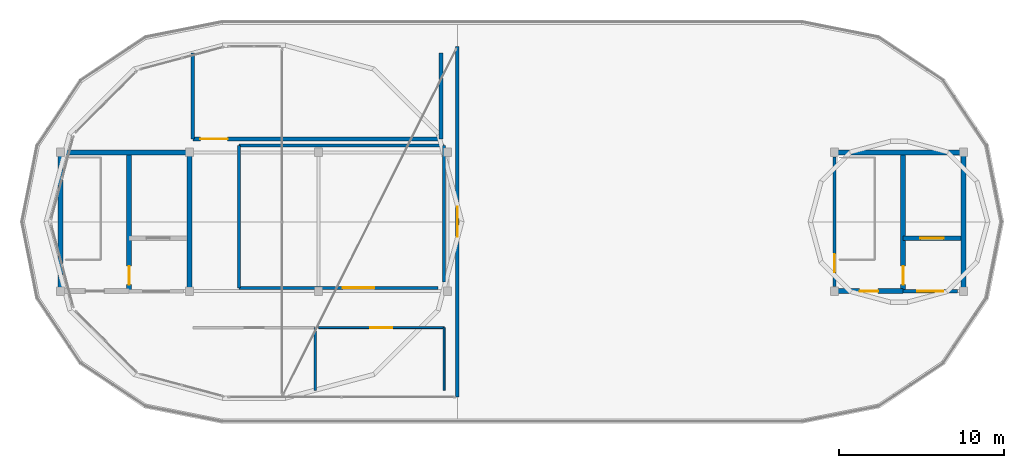
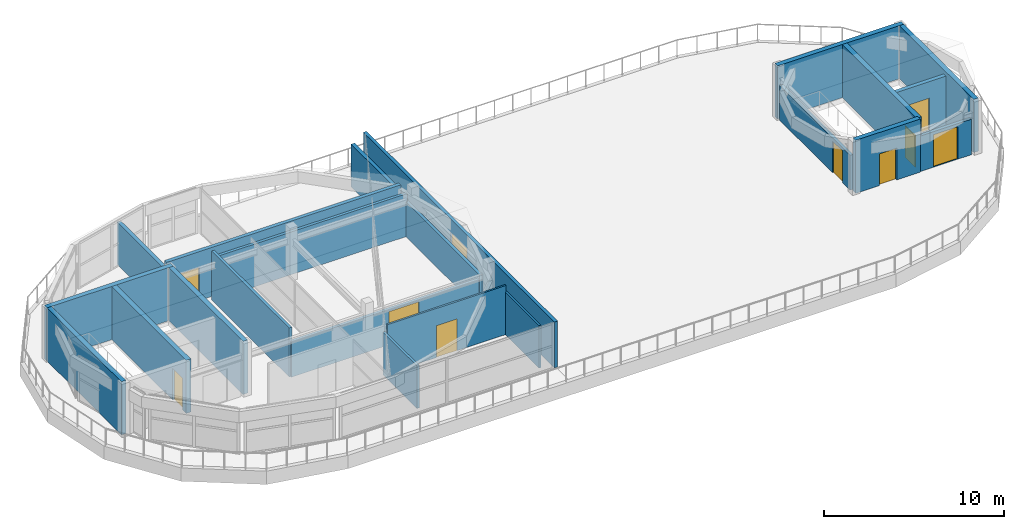
# One storey, part 14 of 15: 22 walls, 10 doors, 10 openings.
"""IFC4 building model written with IfcOpenShell, lengths in metres."""

from ifc_helpers import new_model, si_unit, direction, frame, frame_2d, origin, place, context, subcontext, project, spatial, rectangle, extrude, material, layer, layer_set, type_object, element, fill, save


model = new_model("IFC4")

# Units and contexts
model_context = context("Model", 3, precision=1e-05, world=origin(), true_north=direction((0.0, 1.0)))
body_context = subcontext(model_context, "Body", "Model", "MODEL_VIEW")
ifc_project = project(units=[si_unit("LENGTHUNIT", "METRE"), si_unit("AREAUNIT", "SQUARE_METRE"), si_unit("VOLUMEUNIT", "CUBIC_METRE"), si_unit("PLANEANGLEUNIT", "RADIAN"), si_unit("MASSUNIT", "GRAM", prefix="KILO")], contexts=[model_context])

# Site, building, storey
site_placement = place(None, origin())
site = spatial("IfcSite", under=ifc_project, at=site_placement, CompositionType="ELEMENT")
building_placement = place(site_placement, origin())
building = spatial("IfcBuilding", under=site, at=building_placement, Name="Zizhar Promenade General Hospital", CompositionType="ELEMENT")
storey_placement = place(building_placement, frame((0.0, 0.0, 43.199951171875)))
storey = spatial("IfcBuildingStorey", under=building, at=storey_placement, Name="Roof", CompositionType="ELEMENT", Elevation=43.199951171875)

# Wall, opening, door
ifc_material_1 = material(Name="Precast concrete C40/50", Category="concrete")
ifc_layer_1 = layer(ifc_material_1, 0.2099609375)
ifc_layer_set_1 = layer_set([ifc_layer_1], Name="Precast concrete C40/50")
wall_type_1 = type_object("IfcWallType", Name="EW-PENT-210", PredefinedType="STANDARD", material=ifc_layer_set_1)
wall_1_placement = place(storey_placement, frame((70.800048828125, 23.199951171875, 0.0), z_axis=(0.0, 0.0, 1.0), x_axis=(0.0, -1.0, 0.0)))
wall_1 = element("IfcWall", 1, at=wall_1_placement, inside=storey, type_object=wall_type_1, Name="Helipad Trauma Lobby East Wall", PredefinedType="STANDARD", context=body_context, shape_type="SweptSolid", body=[
    extrude(rectangle(XDim=21.199951171875, YDim=0.2099609375, at=frame_2d((10.60009765625, 0.0))), origin(), (0.0, 0.0, 1.0), 3.10009765625),
])
opening_1_placement = place(wall_1_placement, frame((9.699951171875, 0.0, 0.0)))
opening_1 = element("IfcOpeningElement", 2, at=opening_1_placement, cuts=wall_1, Name="Opening ED-07", PredefinedType="OPENING", context=body_context, shape_type="SweptSolid", body=[
    extrude(rectangle(XDim=1.800048828125, YDim=2.199951171875, at=frame_2d((0.89990234375, 1.10009765625))), frame((0.0, 0.114990234375, 0.0), z_axis=(0.0, -1.0, 0.0), x_axis=(1.0, 0.0, 0.0)), (0.0, 0.0, 1.0), 0.22998046875),
])
ifc_material_2 = material(Name="Anodised aluminium 6063-T6 and laminated safety glass", Category="aluminium")
door_type_1 = type_object("IfcDoorType", Name="DR-EXT-HELI-180x220", OperationType="DOUBLE_DOOR_SINGLE_SWING", PredefinedType="DOOR", material=ifc_material_2)
door_1_placement = place(opening_1_placement, origin())
door_1 = element("IfcDoor", 3, at=door_1_placement, inside=storey, type_object=door_type_1, Name="Helipad Trauma Transfer Airlock Door", OperationType="DOUBLE_DOOR_SINGLE_SWING", OverallHeight=2.199951171875, OverallWidth=1.800048828125, PredefinedType="DOOR", context=body_context, shape_type="SweptSolid", body=[
    extrude(rectangle(XDim=1.800048828125, YDim=2.199951171875, at=frame_2d((0.89990234375, 1.10009765625))), frame((0.0, 0.02490234375, 0.0), z_axis=(0.0, -1.0, 0.0), x_axis=(1.0, 0.0, 0.0)), (0.0, 0.0, 1.0), 0.050048828125),
])
fill(opening_1, door_1)

wall_2_placement = place(storey_placement, frame((93.60009765625, 8.68994140625, 0.0), z_axis=(0.0, 0.0, 1.0), x_axis=(0.0, 1.0, 0.0)))
wall_2 = element("IfcWall", 4, at=wall_2_placement, inside=storey, type_object=wall_type_1, Name="East Core C5 Helipad Egress Wall", PredefinedType="STANDARD", context=body_context, shape_type="SweptSolid", body=[
    extrude(rectangle(XDim=7.820068359375, YDim=0.2099609375, at=frame_2d((3.91015625, 0.0))), origin(), (0.0, 0.0, 1.0), 2.35498046875),
])
opening_2_placement = place(wall_2_placement, frame((0.857666015625, 0.0, 0.0)))
opening_2 = element("IfcOpeningElement", 5, at=opening_2_placement, cuts=wall_2, Name="Opening ED-06", PredefinedType="OPENING", context=body_context, shape_type="SweptSolid", body=[
    extrude(rectangle(XDim=1.10009765625, YDim=2.14990234375, at=frame_2d((0.550048828125, 1.074951171875))), frame((0.0, 0.114990234375, 0.0), z_axis=(0.0, -1.0, 0.0), x_axis=(1.0, 0.0, 0.0)), (0.0, 0.0, 1.0), 0.22998046875),
])
ifc_material_3 = material(Name="Anodised aluminium 6063-T6 and laminated safety glass", Category="aluminium")
door_type_2 = type_object("IfcDoorType", Name="DR-EXT-TERR-110x215", OperationType="SINGLE_SWING_LEFT", PredefinedType="DOOR", material=ifc_material_3)
door_2_placement = place(opening_2_placement, origin())
door_2 = element("IfcDoor", 6, at=door_2_placement, inside=storey, type_object=door_type_2, Name="Helipad East Core Secondary Egress Door", OperationType="SINGLE_SWING_LEFT", OverallHeight=2.14990234375, OverallWidth=1.10009765625, PredefinedType="DOOR", context=body_context, shape_type="SweptSolid", body=[
    extrude(rectangle(XDim=1.10009765625, YDim=2.14990234375, at=frame_2d((0.550048828125, 1.074951171875))), frame((0.0, 0.02490234375, 0.0), z_axis=(0.0, -1.0, 0.0), x_axis=(1.0, 0.0, 0.0)), (0.0, 0.0, 1.0), 0.050048828125),
])
fill(opening_2, door_2)

# Wall
ifc_material_4 = material(Name="Clinical consultation partition")
ifc_layer_2 = layer(ifc_material_4, 0.14501953125)
ifc_layer_set_2 = layer_set([ifc_layer_2], Name="Clinical consultation partition")
wall_type_2 = type_object("IfcWallType", Name="IW-CLN-145", PredefinedType="PARTITIONING", material=ifc_layer_set_2)
wall_3_placement = place(storey_placement, frame((62.199951171875, 2.39990234375, 0.0), z_axis=(0.0, 0.0, 1.0), x_axis=(0.0, 1.0, 0.0)))
element("IfcWall", 7, at=wall_3_placement, inside=storey, type_object=wall_type_2, Name="Helipad Aviation Dispatch and Telemetry Clinic E Partition", PredefinedType="PARTITIONING", context=body_context, shape_type="SweptSolid", body=[
    extrude(rectangle(XDim=3.800048828125, YDim=0.14501953125, at=frame_2d((1.89990234375, 0.0))), origin(), (0.0, 0.0, 1.0), 2.89013671875),
])

# Wall, opening, door
ifc_material_5 = material(Name="Acoustic double-stud clinical partition")
ifc_layer_3 = layer(ifc_material_5, 0.179931640625)
ifc_layer_set_3 = layer_set([ifc_layer_3], Name="Acoustic double-stud clinical partition")
wall_type_3 = type_object("IfcWallType", Name="IW-ICU-180", PredefinedType="PARTITIONING", material=ifc_layer_set_3)
wall_4_placement = place(storey_placement, frame((57.60009765625, 8.60009765625, 0.0), z_axis=(0.0, 0.0, 1.0), x_axis=(1.0, 0.0, 0.0)))
wall_4 = element("IfcWall", 8, at=wall_4_placement, inside=storey, type_object=wall_type_3, Name="Emergency Department Helipad Resuscitation Bay S Partition", PredefinedType="PARTITIONING", context=body_context, shape_type="SweptSolid", body=[
    extrude(rectangle(XDim=12.039794921875, YDim=0.179931640625, at=frame_2d((6.02001953125, 0.0))), origin(), (0.0, 0.0, 1.0), 2.405029296875),
])
opening_3_placement = place(wall_4_placement, frame((6.27392578125, 0.0, 0.0)))
opening_3 = element("IfcOpeningElement", 9, at=opening_3_placement, cuts=wall_4, Name="Opening D-12", PredefinedType="OPENING", context=body_context, shape_type="SweptSolid", body=[
    extrude(rectangle(XDim=1.89990234375, YDim=2.25, at=frame_2d((0.949951171875, 1.125))), frame((0.0, 0.10009765625, 0.0), z_axis=(0.0, -1.0, 0.0), x_axis=(1.0, 0.0, 0.0)), (0.0, 0.0, 1.0), 0.199951171875),
])
ifc_material_6 = material(Name="Fire-rated timber trauma pair", Category="wood")
door_type_3 = type_object("IfcDoorType", Name="DR-ED-RESUS-190x225", OperationType="DOUBLE_DOOR_SINGLE_SWING", PredefinedType="DOOR", material=ifc_material_6)
door_3_placement = place(opening_3_placement, origin())
door_3 = element("IfcDoor", 10, at=door_3_placement, inside=storey, type_object=door_type_3, Name="Emergency Department Helipad Resuscitation Bay Door", OperationType="DOUBLE_DOOR_SINGLE_SWING", OverallHeight=2.25, OverallWidth=1.89990234375, PredefinedType="DOOR", context=body_context, shape_type="SweptSolid", body=[
    extrude(rectangle(XDim=1.89990234375, YDim=2.25, at=frame_2d((0.949951171875, 1.125))), frame((0.0, 0.02490234375, 0.0), z_axis=(0.0, -1.0, 0.0), x_axis=(1.0, 0.0, 0.0)), (0.0, 0.0, 1.0), 0.050048828125),
])
fill(opening_3, door_3)

# Walls
wall_5_placement = place(storey_placement, frame((57.60009765625, 17.199951171875, 0.0), z_axis=(0.0, 0.0, 1.0), x_axis=(1.0, 0.0, 0.0)))
element("IfcWall", 11, at=wall_5_placement, inside=storey, type_object=wall_type_3, Name="Emergency Department Helipad Resuscitation Bay N Partition", PredefinedType="PARTITIONING", context=body_context, shape_type="SweptSolid", body=[
    extrude(rectangle(XDim=12.39990234375, YDim=0.179931640625, at=frame_2d((6.199951171875, 0.0))), origin(), (0.0, 0.0, 1.0), 2.89013671875),
])
wall_6_placement = place(storey_placement, frame((57.60009765625, 8.60009765625, 0.0), z_axis=(0.0, 0.0, 1.0), x_axis=(0.0, 1.0, 0.0)))
element("IfcWall", 12, at=wall_6_placement, inside=storey, type_object=wall_type_3, Name="Emergency Department Helipad Resuscitation Bay W Partition", PredefinedType="PARTITIONING", context=body_context, shape_type="SweptSolid", body=[
    extrude(rectangle(XDim=8.599853515625, YDim=0.179931640625, at=frame_2d((4.2998046875, 0.0))), origin(), (0.0, 0.0, 1.0), 3.320068359375),
])
wall_7_placement = place(storey_placement, frame((70.0, 8.9599609375, 0.0), z_axis=(0.0, 0.0, 1.0), x_axis=(0.0, 1.0, 0.0)))
element("IfcWall", 13, at=wall_7_placement, inside=storey, type_object=wall_type_3, Name="Emergency Department Helipad Resuscitation Bay E Partition", PredefinedType="PARTITIONING", context=body_context, shape_type="SweptSolid", body=[
    extrude(rectangle(XDim=8.239990234375, YDim=0.179931640625, at=frame_2d((4.1201171875, 0.0))), origin(), (0.0, 0.0, 1.0), 2.35498046875),
])

# Wall, opening, door
ifc_material_7 = material(Name="Concrete C35/45", Category="concrete")
ifc_layer_4 = layer(ifc_material_7, 0.215087890625)
ifc_layer_set_4 = layer_set([ifc_layer_4], Name="Concrete C35/45")
wall_type_4 = type_object("IfcWallType", Name="IW-LOBBY-215", PredefinedType="STANDARD", material=ifc_layer_set_4)
wall_8_placement = place(storey_placement, frame((97.75, 8.39990234375, 0.0), z_axis=(0.0, 0.0, 1.0), x_axis=(1.0, 0.0, 0.0)))
wall_8 = element("IfcWall", 14, at=wall_8_placement, inside=storey, type_object=wall_type_4, Name="Core C5 Lift Lobby South Fire Wall (Roof)", PredefinedType="STANDARD", context=body_context, shape_type="SweptSolid", body=[
    extrude(rectangle(XDim=3.2900390625, YDim=0.215087890625, at=frame_2d((1.64501953125, 0.0))), origin(), (0.0, 0.0, 1.0), 2.405029296875),
])
opening_4_placement = place(wall_8_placement, frame((0.864990234375, 0.0, 0.0)))
opening_4 = element("IfcOpeningElement", 15, at=opening_4_placement, cuts=wall_8, Name="Opening D-22", PredefinedType="OPENING", context=body_context, shape_type="SweptSolid", body=[
    extrude(rectangle(XDim=1.56005859375, YDim=2.199951171875, at=frame_2d((0.780029296875, 1.10009765625))), frame((0.0, 0.11767578125, 0.0), z_axis=(0.0, -1.0, 0.0), x_axis=(1.0, 0.0, 0.0)), (0.0, 0.0, 1.0), 0.235107421875),
])
ifc_material_8 = material(Name="Steel S355 firefighting lobby pair", Category="steel")
door_type_4 = type_object("IfcDoorType", Name="DR-LOBBY-FF-156x220", OperationType="DOUBLE_DOOR_SINGLE_SWING", PredefinedType="DOOR", material=ifc_material_8)
door_4_placement = place(opening_4_placement, origin())
door_4 = element("IfcDoor", 16, at=door_4_placement, inside=storey, type_object=door_type_4, Name="Core C5 Firefighting Lift Lobby Door (Roof)", OperationType="DOUBLE_DOOR_SINGLE_SWING", OverallHeight=2.199951171875, OverallWidth=1.56005859375, PredefinedType="DOOR", context=body_context, shape_type="SweptSolid", body=[
    extrude(rectangle(XDim=1.56005859375, YDim=2.199951171875, at=frame_2d((0.780029296875, 1.10009765625))), frame((0.0, 0.02490234375, 0.0), z_axis=(0.0, -1.0, 0.0), x_axis=(1.0, 0.0, 0.0)), (0.0, 0.0, 1.0), 0.050048828125),
])
fill(opening_4, door_4)

ifc_material_9 = material(Name="Concrete block masonry C30/37", Category="masonry")
ifc_layer_5 = layer(ifc_material_9, 0.22998046875)
ifc_layer_set_5 = layer_set([ifc_layer_5], Name="Concrete block masonry C30/37")
wall_type_5 = type_object("IfcWallType", Name="IW-PLNT-230", PredefinedType="STANDARD", material=ifc_layer_set_5)
wall_9_placement = place(storey_placement, frame((54.800048828125, 17.60009765625, 0.0), z_axis=(0.0, 0.0, 1.0), x_axis=(1.0, 0.0, 0.0)))
wall_9 = element("IfcWall", 17, at=wall_9_placement, inside=storey, type_object=wall_type_5, Name="Penthouse Helipad Foam and Pressurisation Plant S Partition", PredefinedType="STANDARD", context=body_context, shape_type="SweptSolid", body=[
    extrude(rectangle(XDim=15.0, YDim=0.22998046875, at=frame_2d((7.5, 0.0))), origin(), (0.0, 0.0, 1.0), 3.320068359375),
])
opening_5_placement = place(wall_9_placement, frame((0.449951171875, 0.0, 0.0)))
opening_5 = element("IfcOpeningElement", 18, at=opening_5_placement, cuts=wall_9, Name="Opening D-24", PredefinedType="OPENING", context=body_context, shape_type="SweptSolid", body=[
    extrude(rectangle(XDim=1.64990234375, YDim=2.25, at=frame_2d((0.824951171875, 1.125))), frame((0.0, 0.125, 0.0), z_axis=(0.0, -1.0, 0.0), x_axis=(1.0, 0.0, 0.0)), (0.0, 0.0, 1.0), 0.25),
])
ifc_material_10 = material(Name="Steel S355 acoustic plant pair", Category="steel")
door_type_5 = type_object("IfcDoorType", Name="DR-PLNT-165x225", OperationType="DOUBLE_DOOR_SINGLE_SWING", PredefinedType="DOOR", material=ifc_material_10)
door_5_placement = place(opening_5_placement, origin())
door_5 = element("IfcDoor", 19, at=door_5_placement, inside=storey, type_object=door_type_5, Name="Penthouse Helipad Foam and Pressurisation Plant Door", OperationType="DOUBLE_DOOR_SINGLE_SWING", OverallHeight=2.25, OverallWidth=1.64990234375, PredefinedType="DOOR", context=body_context, shape_type="SweptSolid", body=[
    extrude(rectangle(XDim=1.64990234375, YDim=2.25, at=frame_2d((0.824951171875, 1.125))), frame((0.0, 0.02490234375, 0.0), z_axis=(0.0, -1.0, 0.0), x_axis=(1.0, 0.0, 0.0)), (0.0, 0.0, 1.0), 0.050048828125),
])
fill(opening_5, door_5)

# Walls
for number, where, z_axis, x_axis, name in (
    (20, (54.800048828125, 17.60009765625, 0.0), (0.0, 0.0, 1.0), (0.0, 1.0, 0.0), "Penthouse Helipad Foam and Pressurisation Plant W Partition"),
    (21, (69.800048828125, 17.60009765625, 0.0), (0.0, 0.0, 1.0), (0.0, 1.0, 0.0), "Penthouse Helipad Foam and Pressurisation Plant E Partition"),
):
    element("IfcWall", number, at=place(storey_placement, frame(where, z_axis=z_axis, x_axis=x_axis)), inside=storey, type_object=wall_type_5, Name=name, PredefinedType="STANDARD", context=body_context, shape_type="SweptSolid", body=[
        extrude(rectangle(XDim=5.199951171875, YDim=0.22998046875, at=frame_2d((2.60009765625, 0.0))), origin(), (0.0, 0.0, 1.0), 2.89013671875),
    ])

# Wall, opening, door
ifc_material_11 = material(Name="Concrete C35/45", Category="concrete")
ifc_layer_6 = layer(ifc_material_11, 0.25)
ifc_layer_set_6 = layer_set([ifc_layer_6], Name="Concrete C35/45")
wall_type_6 = type_object("IfcWallType", Name="IW-SHAFT-250", PredefinedType="STANDARD", material=ifc_layer_set_6)
wall_10_placement = place(storey_placement, frame((97.75, 11.60009765625, 0.0), z_axis=(0.0, 0.0, 1.0), x_axis=(1.0, 0.0, 0.0)))
wall_10 = element("IfcWall", 22, at=wall_10_placement, inside=storey, type_object=wall_type_6, Name="Core C5 Lift Shaft Landing Wall (Roof)", PredefinedType="STANDARD", context=body_context, shape_type="SweptSolid", body=[
    extrude(rectangle(XDim=3.5, YDim=0.25, at=frame_2d((1.75, 0.0))), origin(), (0.0, 0.0, 1.0), 3.320068359375),
])
opening_6_placement = place(wall_10_placement, frame((1.050048828125, 0.0, 0.0)))
opening_6 = element("IfcOpeningElement", 23, at=opening_6_placement, cuts=wall_10, Name="Opening LD-14", PredefinedType="OPENING", context=body_context, shape_type="SweptSolid", body=[
    extrude(rectangle(XDim=1.39990234375, YDim=2.199951171875, at=frame_2d((0.699951171875, 1.10009765625))), frame((0.0, 0.135009765625, 0.0), z_axis=(0.0, -1.0, 0.0), x_axis=(1.0, 0.0, 0.0)), (0.0, 0.0, 1.0), 0.27001953125),
])
ifc_material_12 = material(Name="Stainless Steel S355 hospital lift landing door", Category="steel")
door_type_6 = type_object("IfcDoorType", Name="DR-LIFT-LD14", OperationType="SLIDING_TO_LEFT", PredefinedType="DOOR", material=ifc_material_12)
door_6_placement = place(opening_6_placement, origin())
door_6 = element("IfcDoor", 24, at=door_6_placement, inside=storey, type_object=door_type_6, Name="Lift LF-02 Sliding Landing Door (Roof)", OperationType="SLIDING_TO_LEFT", OverallHeight=2.199951171875, OverallWidth=1.39990234375, PredefinedType="DOOR", context=body_context, shape_type="SweptSolid", body=[
    extrude(rectangle(XDim=1.39990234375, YDim=2.199951171875, at=frame_2d((0.699951171875, 1.10009765625))), frame((0.0, 0.02490234375, 0.0), z_axis=(0.0, -1.0, 0.0), x_axis=(1.0, 0.0, 0.0)), (0.0, 0.0, 1.0), 0.050048828125),
])
fill(opening_6, door_6)

ifc_material_13 = material(Name="Clean utility gypsum partition")
ifc_layer_7 = layer(ifc_material_13, 0.114990234375)
ifc_layer_set_7 = layer_set([ifc_layer_7], Name="Clean utility gypsum partition")
wall_type_7 = type_object("IfcWallType", Name="IW-STR-115", PredefinedType="PARTITIONING", material=ifc_layer_set_7)
wall_11_placement = place(storey_placement, frame((62.39990234375, 6.199951171875, 0.0), z_axis=(0.0, 0.0, 1.0), x_axis=(1.0, 0.0, 0.0)))
wall_11 = element("IfcWall", 25, at=wall_11_placement, inside=storey, type_object=wall_type_7, Name="Helipad Trauma Pharmacy and Equipment Room N Partition", PredefinedType="PARTITIONING", context=body_context, shape_type="SweptSolid", body=[
    extrude(rectangle(XDim=7.60009765625, YDim=0.114990234375, at=frame_2d((3.800048828125, 0.0))), origin(), (0.0, 0.0, 1.0), 3.320068359375),
])
opening_7_placement = place(wall_11_placement, frame((3.139892578125, 0.0, 0.0)))
opening_7 = element("IfcOpeningElement", 26, at=opening_7_placement, cuts=wall_11, Name="Opening D-26", PredefinedType="OPENING", context=body_context, shape_type="SweptSolid", body=[
    extrude(rectangle(XDim=1.320068359375, YDim=2.14990234375, at=frame_2d((0.66015625, 1.074951171875))), frame((0.0, 0.0673828125, 0.0), z_axis=(0.0, -1.0, 0.0), x_axis=(1.0, 0.0, 0.0)), (0.0, 0.0, 1.0), 0.135009765625),
])
ifc_material_14 = material(Name="Fire-rated timber store leaf", Category="wood")
door_type_7 = type_object("IfcDoorType", Name="DR-STORE-132x215", OperationType="NOTDEFINED", PredefinedType="DOOR", material=ifc_material_14)
door_7_placement = place(opening_7_placement, origin())
door_7 = element("IfcDoor", 27, at=door_7_placement, inside=storey, type_object=door_type_7, Name="Helipad Trauma Pharmacy and Equipment Room Door", OperationType="SINGLE_SWING_LEFT", OverallHeight=2.14990234375, OverallWidth=1.320068359375, PredefinedType="DOOR", context=body_context, shape_type="SweptSolid", body=[
    extrude(rectangle(XDim=1.320068359375, YDim=2.14990234375, at=frame_2d((0.66015625, 1.074951171875))), frame((0.0, 0.02490234375, 0.0), z_axis=(0.0, -1.0, 0.0), x_axis=(1.0, 0.0, 0.0)), (0.0, 0.0, 1.0), 0.050048828125),
])
fill(opening_7, door_7)

# Walls
wall_12_placement = place(storey_placement, frame((70.0, 2.39990234375, 0.0), z_axis=(0.0, 0.0, 1.0), x_axis=(0.0, 1.0, 0.0)))
element("IfcWall", 28, at=wall_12_placement, inside=storey, type_object=wall_type_7, Name="Helipad Trauma Pharmacy and Equipment Room E Partition", PredefinedType="PARTITIONING", context=body_context, shape_type="SweptSolid", body=[
    extrude(rectangle(XDim=3.800048828125, YDim=0.114990234375, at=frame_2d((1.89990234375, 0.0))), origin(), (0.0, 0.0, 1.0), 2.89013671875),
])
ifc_material_15 = material(Name="Concrete C40/50", Category="concrete")
ifc_layer_8 = layer(ifc_material_15, 0.300048828125)
ifc_layer_set_8 = layer_set([ifc_layer_8], Name="Concrete C40/50")
wall_type_8 = type_object("IfcWallType", Name="WL-CORE-300", PredefinedType="SHEAR", material=ifc_layer_set_8)
wall_13_placement = place(storey_placement, frame((46.64990234375, 16.800048828125, 0.0), z_axis=(0.0, 0.0, 1.0), x_axis=(1.0, 0.0, 0.0)))
element("IfcWall", 29, at=wall_13_placement, inside=storey, type_object=wall_type_8, Name="Core C2 North Shear Wall Roof", PredefinedType="SHEAR", context=body_context, shape_type="SweptSolid", body=[
    extrude(rectangle(XDim=8.10009765625, YDim=0.300048828125, at=frame_2d((4.050048828125, 0.0))), origin(), (0.0, 0.0, 1.0), 3.60009765625),
])
for number, where, z_axis, x_axis, name in (
    (30, (46.800048828125, 8.39990234375, 0.0), (0.0, 0.0, 1.0), (0.0, 1.0, 0.0), "Core C2 West Shear Wall Roof"),
    (31, (54.60009765625, 8.39990234375, 0.0), (0.0, 0.0, 1.0), (0.0, 1.0, 0.0), "Core C2 East Shear Wall Roof"),
):
    element("IfcWall", number, at=place(storey_placement, frame(where, z_axis=z_axis, x_axis=x_axis)), inside=storey, type_object=wall_type_8, Name=name, PredefinedType="SHEAR", context=body_context, shape_type="SweptSolid", body=[
        extrude(rectangle(XDim=8.400146484375, YDim=0.300048828125, at=frame_2d((4.2001953125, 0.0))), origin(), (0.0, 0.0, 1.0), 3.60009765625),
    ])
wall_14_placement = place(storey_placement, frame((93.449951171875, 16.800048828125, 0.0), z_axis=(0.0, 0.0, 1.0), x_axis=(1.0, 0.0, 0.0)))
element("IfcWall", 32, at=wall_14_placement, inside=storey, type_object=wall_type_8, Name="Core C5 North Shear Wall Roof", PredefinedType="SHEAR", context=body_context, shape_type="SweptSolid", body=[
    extrude(rectangle(XDim=8.10009765625, YDim=0.300048828125, at=frame_2d((4.050048828125, 0.0))), origin(), (0.0, 0.0, 1.0), 3.60009765625),
])
wall_15_placement = place(storey_placement, frame((101.39990234375, 8.39990234375, 0.0), z_axis=(0.0, 0.0, 1.0), x_axis=(0.0, 1.0, 0.0)))
element("IfcWall", 33, at=wall_15_placement, inside=storey, type_object=wall_type_8, Name="Core C5 East Shear Wall Roof", PredefinedType="SHEAR", context=body_context, shape_type="SweptSolid", body=[
    extrude(rectangle(XDim=8.400146484375, YDim=0.300048828125, at=frame_2d((4.2001953125, 0.0))), origin(), (0.0, 0.0, 1.0), 3.60009765625),
])

# Wall, opening, door
wall_16_placement = place(storey_placement, frame((50.949951171875, 8.39990234375, 0.0), z_axis=(0.0, 0.0, 1.0), x_axis=(0.0, 1.0, 0.0)))
wall_16 = element("IfcWall", 34, at=wall_16_placement, inside=storey, type_object=wall_type_8, Name="Core C2 Stair-Shaft Separation Wall (Roof)", PredefinedType="SHEAR", context=body_context, shape_type="SweptSolid", body=[
    extrude(rectangle(XDim=8.400146484375, YDim=0.300048828125, at=frame_2d((4.2001953125, 0.0))), origin(), (0.0, 0.0, 1.0), 3.60009765625),
])
opening_8_placement = place(wall_16_placement, frame((0.39990234375, 0.0, 0.0)))
opening_8 = element("IfcOpeningElement", 35, at=opening_8_placement, cuts=wall_16, Name="Opening D-21", PredefinedType="OPENING", context=body_context, shape_type="SweptSolid", body=[
    extrude(rectangle(XDim=1.1201171875, YDim=2.14990234375, at=frame_2d((0.56005859375, 1.074951171875))), frame((0.0, 0.16015625, 0.0), z_axis=(0.0, -1.0, 0.0), x_axis=(1.0, 0.0, 0.0)), (0.0, 0.0, 1.0), 0.320068359375),
])
ifc_material_16 = material(Name="Steel S355 protected stair door", Category="steel")
door_type_8 = type_object("IfcDoorType", Name="DR-STAIR-112x215", OperationType="NOTDEFINED", PredefinedType="DOOR", material=ifc_material_16)
door_8_placement = place(opening_8_placement, origin())
door_8 = element("IfcDoor", 36, at=door_8_placement, inside=storey, type_object=door_type_8, Name="Firefighting Lobby to Stair ST-02 Door (Roof)", OperationType="SINGLE_SWING_RIGHT", OverallHeight=2.14990234375, OverallWidth=1.1201171875, PredefinedType="DOOR", context=body_context, shape_type="SweptSolid", body=[
    extrude(rectangle(XDim=1.1201171875, YDim=2.14990234375, at=frame_2d((0.56005859375, 1.074951171875))), frame((0.0, 0.02490234375, 0.0), z_axis=(0.0, -1.0, 0.0), x_axis=(1.0, 0.0, 0.0)), (0.0, 0.0, 1.0), 0.050048828125),
])
fill(opening_8, door_8)

wall_17_placement = place(storey_placement, frame((93.60009765625, 8.39990234375, 0.0), z_axis=(0.0, 0.0, 1.0), x_axis=(1.0, 0.0, 0.0)))
wall_17 = element("IfcWall", 37, at=wall_17_placement, inside=storey, type_object=wall_type_8, Name="Core C5 Stair South Fire Wall (Roof)", PredefinedType="SHEAR", context=body_context, shape_type="SweptSolid", body=[
    extrude(rectangle(XDim=4.14990234375, YDim=0.300048828125, at=frame_2d((2.074951171875, 0.0))), origin(), (0.0, 0.0, 1.0), 3.60009765625),
])
opening_9_placement = place(wall_17_placement, frame((1.514892578125, 0.0, 0.0)))
opening_9 = element("IfcOpeningElement", 38, at=opening_9_placement, cuts=wall_17, Name="Opening D-21", PredefinedType="OPENING", context=body_context, shape_type="SweptSolid", body=[
    extrude(rectangle(XDim=1.1201171875, YDim=2.14990234375, at=frame_2d((0.56005859375, 1.074951171875))), frame((0.0, 0.16015625, 0.0), z_axis=(0.0, -1.0, 0.0), x_axis=(1.0, 0.0, 0.0)), (0.0, 0.0, 1.0), 0.320068359375),
])
door_9_placement = place(opening_9_placement, origin())
door_9 = element("IfcDoor", 39, at=door_9_placement, inside=storey, type_object=door_type_8, Name="Exit Stair ST-05 Door (Roof)", OperationType="SINGLE_SWING_RIGHT", OverallHeight=2.14990234375, OverallWidth=1.1201171875, PredefinedType="DOOR", context=body_context, shape_type="SweptSolid", body=[
    extrude(rectangle(XDim=1.1201171875, YDim=2.14990234375, at=frame_2d((0.56005859375, 1.074951171875))), frame((0.0, 0.02490234375, 0.0), z_axis=(0.0, -1.0, 0.0), x_axis=(1.0, 0.0, 0.0)), (0.0, 0.0, 1.0), 0.050048828125),
])
fill(opening_9, door_9)

wall_18_placement = place(storey_placement, frame((97.75, 8.39990234375, 0.0), z_axis=(0.0, 0.0, 1.0), x_axis=(0.0, 1.0, 0.0)))
wall_18 = element("IfcWall", 40, at=wall_18_placement, inside=storey, type_object=wall_type_8, Name="Core C5 Stair-Shaft Separation Wall (Roof)", PredefinedType="SHEAR", context=body_context, shape_type="SweptSolid", body=[
    extrude(rectangle(XDim=8.400146484375, YDim=0.300048828125, at=frame_2d((4.2001953125, 0.0))), origin(), (0.0, 0.0, 1.0), 3.60009765625),
])
opening_10_placement = place(wall_18_placement, frame((0.39990234375, 0.0, 0.0)))
opening_10 = element("IfcOpeningElement", 41, at=opening_10_placement, cuts=wall_18, Name="Opening D-21", PredefinedType="OPENING", context=body_context, shape_type="SweptSolid", body=[
    extrude(rectangle(XDim=1.1201171875, YDim=2.14990234375, at=frame_2d((0.56005859375, 1.074951171875))), frame((0.0, 0.16015625, 0.0), z_axis=(0.0, -1.0, 0.0), x_axis=(1.0, 0.0, 0.0)), (0.0, 0.0, 1.0), 0.320068359375),
])
door_10_placement = place(opening_10_placement, origin())
door_10 = element("IfcDoor", 42, at=door_10_placement, inside=storey, type_object=door_type_8, Name="Firefighting Lobby to Stair ST-05 Door (Roof)", OperationType="SINGLE_SWING_LEFT", OverallHeight=2.14990234375, OverallWidth=1.1201171875, PredefinedType="DOOR", context=body_context, shape_type="SweptSolid", body=[
    extrude(rectangle(XDim=1.1201171875, YDim=2.14990234375, at=frame_2d((0.56005859375, 1.074951171875))), frame((0.0, 0.02490234375, 0.0), z_axis=(0.0, -1.0, 0.0), x_axis=(1.0, 0.0, 0.0)), (0.0, 0.0, 1.0), 0.050048828125),
])
fill(opening_10, door_10)

save(model, "model.ifc")
